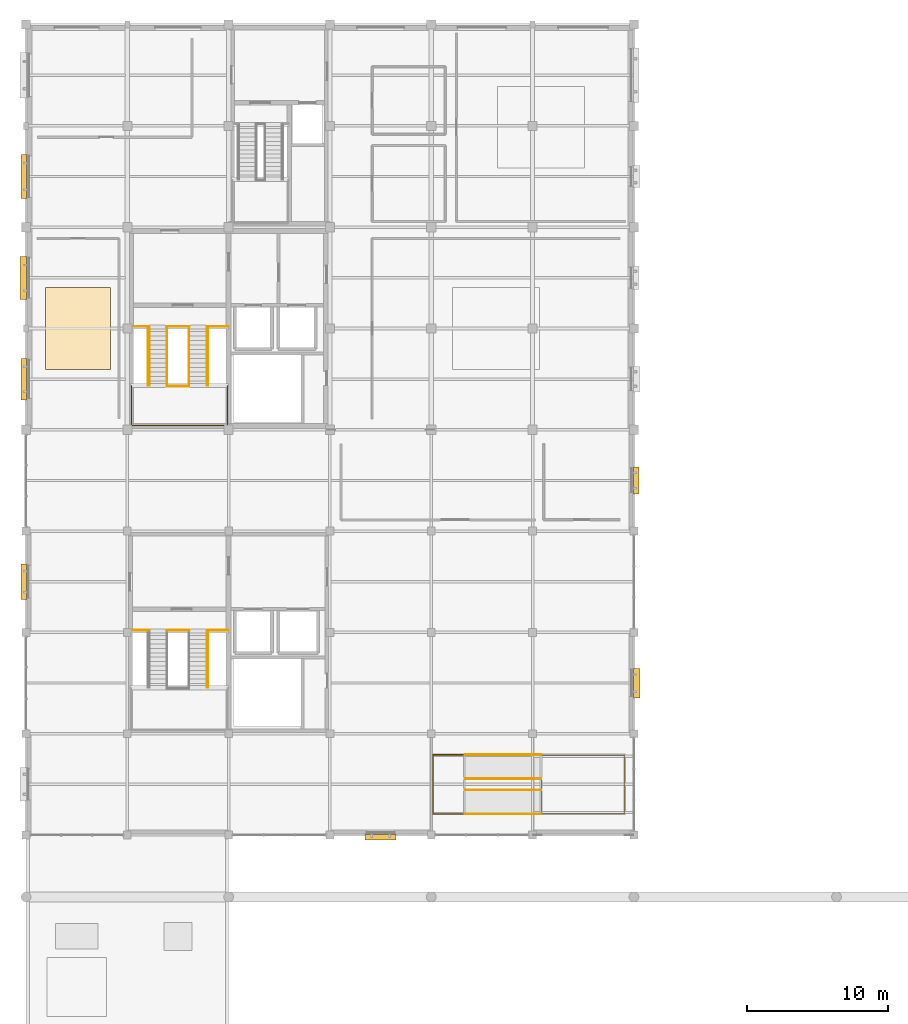
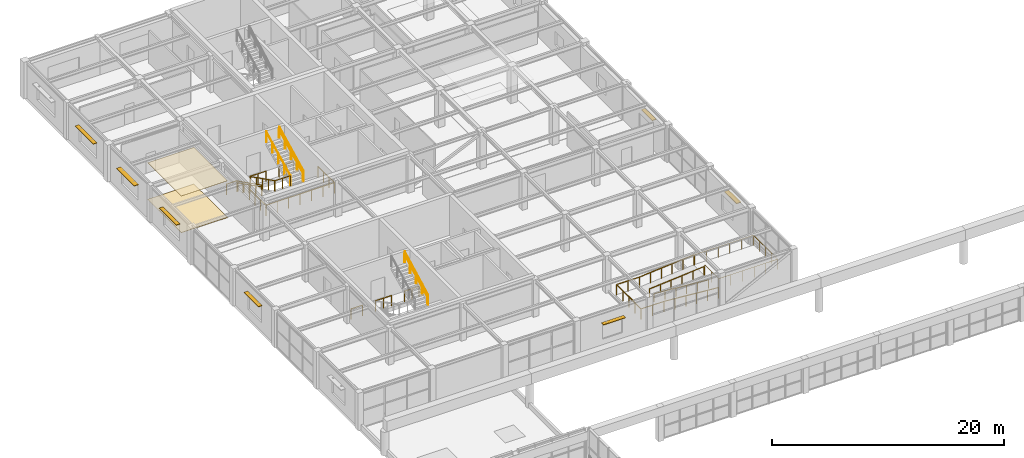
# One storey, part 80 of 83: 22 railings, 7 shading devices, 2 coverings.
"""IFC4 building model written with IfcOpenShell, lengths in metres."""

from ifc_helpers import new_model, si_unit, direction, frame, origin, origin_2d, place, context, subcontext, project, spatial, rectangle, circle, extrude, material, layer, layer_set, type_object, element, save


model = new_model("IFC4")

# Units and contexts
model_context = context("Model", 3, precision=1e-05, world=origin(), true_north=direction((0.0, 1.0)))
body_context = subcontext(model_context, "Body", "Model", "MODEL_VIEW")
ifc_project = project(units=[si_unit("LENGTHUNIT", "METRE"), si_unit("AREAUNIT", "SQUARE_METRE"), si_unit("VOLUMEUNIT", "CUBIC_METRE"), si_unit("PLANEANGLEUNIT", "RADIAN"), si_unit("MASSUNIT", "GRAM", prefix="KILO")], contexts=[model_context])

# Site, building, storey
site_placement = place(None, origin())
site = spatial("IfcSite", under=ifc_project, at=site_placement, CompositionType="ELEMENT")
building_placement = place(site_placement, origin())
building = spatial("IfcBuilding", under=site, at=building_placement, Name="Leyfeld Transit Interchange", CompositionType="ELEMENT")
storey_placement = place(building_placement, frame((0.0, 0.0, 5.39990234375)))
storey = spatial("IfcBuildingStorey", under=building, at=storey_placement, Name="L01", CompositionType="ELEMENT", Elevation=5.39990234375)

# Coverings
ifc_material_1 = material(Name="Austrian larch acoustic slat ceiling", Category="wood")
ifc_layer_1 = layer(ifc_material_1, 0.0400390625, Name="Austrian larch acoustic slat ceiling")
ifc_layer_set_1 = layer_set([ifc_layer_1], Name="Austrian larch acoustic slat ceiling")
covering_type_1 = type_object("IfcCoveringType", Name="COV-CLG-LRC", PredefinedType="CEILING", material=ifc_layer_set_1)
covering_1_placement = place(storey_placement, frame((3.699951171875, 100.800048828125, 3.844970703125), z_axis=(0.0, 0.0, 1.0), x_axis=(1.0, 0.0, 0.0)))
element("IfcCovering", 1, at=covering_1_placement, inside=storey, type_object=covering_type_1, Name="Acoustic Slat Ceiling Quiet Rest Room Suite A", PredefinedType="CEILING", context=body_context, shape_type="SweptSolid", body=[
    extrude(rectangle(XDim=4.60009765625, YDim=5.800048828125, at=origin_2d()), origin(), (0.0, 0.0, 1.0), 0.0400390625),
])
ifc_material_2 = material(Name="Polished Danube terrazzo flooring", Category="stone")
ifc_layer_2 = layer(ifc_material_2, 0.030029296875, Name="Polished Danube terrazzo flooring")
ifc_layer_set_2 = layer_set([ifc_layer_2], Name="Polished Danube terrazzo flooring")
covering_type_2 = type_object("IfcCoveringType", Name="COV-FLR-TRZ", PredefinedType="FLOORING", material=ifc_layer_set_2)
covering_2_placement = place(storey_placement, frame((3.699951171875, 100.800048828125, 0.0), z_axis=(0.0, 0.0, 1.0), x_axis=(1.0, 0.0, 0.0)))
element("IfcCovering", 2, at=covering_2_placement, inside=storey, type_object=covering_type_2, Name="Terrazzo Flooring Quiet Rest Room Suite A", PredefinedType="FLOORING", context=body_context, shape_type="SweptSolid", body=[
    extrude(rectangle(XDim=4.60009765625, YDim=5.800048828125, at=origin_2d()), origin(), (0.0, 0.0, 1.0), 0.030029296875),
])

# Railings
ifc_material_3 = material(Name="Stainless steel EN 1.4404", Category="steel")
railing_type_1 = type_object("IfcRailingType", Name="RL-STR-GRD-1100", PredefinedType="GUARDRAIL", material=ifc_material_3)
railing_1_placement = place(storey_placement, frame((7.669921875, 100.949951171875, 0.0)))
element("IfcRailing", 3, at=railing_1_placement, inside=storey, type_object=railing_type_1, Name="Stair ST-01 Landing Guard FLW L01", PredefinedType="GUARDRAIL", context=body_context, shape_type="SweptSolid", body=[
    extrude(circle(Radius=0.02392578125, at=origin_2d()), frame((0.0, 0.0, 1.09619140625), z_axis=(1.0, 0.0, 0.0), x_axis=(0.0, 1.0, 0.0)), (0.0, 0.0, 1.0), 1.030029296875),
    extrude(circle(Radius=0.02099609375, at=origin_2d()), origin(), (0.0, 0.0, 1.0), 1.072021484375),
    extrude(circle(Radius=0.02099609375, at=origin_2d()), frame((1.030029296875, 0.0, 0.0)), (0.0, 0.0, 1.0), 1.072021484375),
])
railing_2_placement = place(storey_placement, frame((10.0, 100.949951171875, 0.0)))
element("IfcRailing", 4, at=railing_2_placement, inside=storey, type_object=railing_type_1, Name="Stair ST-01 Landing Guard EYE L01", PredefinedType="GUARDRAIL", context=body_context, shape_type="SweptSolid", body=[
    extrude(circle(Radius=0.02392578125, at=origin_2d()), frame((0.0, 0.0, 1.09619140625), z_axis=(1.0, 0.0, 0.0), x_axis=(0.0, 1.0, 0.0)), (0.0, 0.0, 1.0), 1.60009765625),
    extrude(circle(Radius=0.02099609375, at=origin_2d()), origin(), (0.0, 0.0, 1.0), 1.072021484375),
    extrude(circle(Radius=0.02099609375, at=origin_2d()), frame((0.800048828125, 0.0, 0.0)), (0.0, 0.0, 1.0), 1.072021484375),
    extrude(circle(Radius=0.02099609375, at=origin_2d()), frame((1.60009765625, 0.0, 0.0)), (0.0, 0.0, 1.0), 1.072021484375),
])
railing_3_placement = place(storey_placement, frame((12.89990234375, 100.949951171875, 0.0)))
element("IfcRailing", 5, at=railing_3_placement, inside=storey, type_object=railing_type_1, Name="Stair ST-01 Landing Guard FLE L01", PredefinedType="GUARDRAIL", context=body_context, shape_type="SweptSolid", body=[
    extrude(circle(Radius=0.02392578125, at=origin_2d()), frame((0.0, 0.0, 1.09619140625), z_axis=(1.0, 0.0, 0.0), x_axis=(0.0, 1.0, 0.0)), (0.0, 0.0, 1.0), 1.4501953125),
    extrude(circle(Radius=0.02099609375, at=origin_2d()), origin(), (0.0, 0.0, 1.0), 1.072021484375),
    extrude(circle(Radius=0.02099609375, at=origin_2d()), frame((0.72509765625, 0.0, 0.0)), (0.0, 0.0, 1.0), 1.072021484375),
    extrude(circle(Radius=0.02099609375, at=origin_2d()), frame((1.4501953125, 0.0, 0.0)), (0.0, 0.0, 1.0), 1.072021484375),
])
railing_4_placement = place(storey_placement, frame((10.010009765625, 96.699951171875, 2.10009765625)))
element("IfcRailing", 6, at=railing_4_placement, inside=storey, type_object=railing_type_1, Name="Stair ST-01 L01 Half-Landing Inner Guard", PredefinedType="GUARDRAIL", context=body_context, shape_type="SweptSolid", body=[
    extrude(circle(Radius=0.02392578125, at=origin_2d()), frame((0.0, 0.0, 1.09619140625), z_axis=(1.0, 0.0, 0.0), x_axis=(0.0, 1.0, 0.0)), (0.0, 0.0, 1.0), 1.580078125),
    extrude(circle(Radius=0.02099609375, at=origin_2d()), origin(), (0.0, 0.0, 1.0), 1.072021484375),
    extrude(circle(Radius=0.02099609375, at=origin_2d()), frame((0.7900390625, 0.0, 0.0)), (0.0, 0.0, 1.0), 1.072021484375),
    extrude(circle(Radius=0.02099609375, at=origin_2d()), frame((1.580078125, 0.0, 0.0)), (0.0, 0.0, 1.0), 1.072021484375),
])
railing_5_placement = place(storey_placement, frame((7.5048828125, 96.699951171875, 2.10009765625)))
element("IfcRailing", 7, at=railing_5_placement, inside=storey, type_object=railing_type_1, Name="Stair ST-01 L01 Half-Landing Perimeter Guard", PredefinedType="GUARDRAIL", context=body_context, shape_type="SweptSolid", body=[
    extrude(circle(Radius=0.02392578125, at=origin_2d()), frame((0.0, 0.0, 1.09619140625), z_axis=(0.0, -1.0, 0.0), x_axis=(1.0, 0.0, 0.0)), (0.0, 0.0, 1.0), 2.794921875),
    extrude(circle(Radius=0.02392578125, at=origin_2d()), frame((0.0, -2.794921875, 1.09619140625), z_axis=(1.0, 0.0, 0.0), x_axis=(0.0, 1.0, 0.0)), (0.0, 0.0, 1.0), 6.815185546875),
    extrude(circle(Radius=0.02392578125, at=origin_2d()), frame((6.815185546875, -2.794921875, 1.09619140625), z_axis=(0.0, 1.0, 0.0), x_axis=(-1.0, 0.0, 0.0)), (0.0, 0.0, 1.0), 2.794921875),
    extrude(circle(Radius=0.02099609375, at=origin_2d()), origin(), (0.0, 0.0, 1.0), 1.072021484375),
    extrude(circle(Radius=0.02099609375, at=origin_2d()), frame((0.0, -0.931640625, 0.0)), (0.0, 0.0, 1.0), 1.072021484375),
    extrude(circle(Radius=0.02099609375, at=origin_2d()), frame((0.0, -1.86328125, 0.0)), (0.0, 0.0, 1.0), 1.072021484375),
    extrude(circle(Radius=0.02099609375, at=origin_2d()), frame((0.0, -2.794921875, 0.0)), (0.0, 0.0, 1.0), 1.072021484375),
    extrude(circle(Radius=0.02099609375, at=origin_2d()), frame((1.1357421875, -2.794921875, 0.0)), (0.0, 0.0, 1.0), 1.072021484375),
    extrude(circle(Radius=0.02099609375, at=origin_2d()), frame((2.271728515625, -2.794921875, 0.0)), (0.0, 0.0, 1.0), 1.072021484375),
    extrude(circle(Radius=0.02099609375, at=origin_2d()), frame((3.40771484375, -2.794921875, 0.0)), (0.0, 0.0, 1.0), 1.072021484375),
    extrude(circle(Radius=0.02099609375, at=origin_2d()), frame((4.54345703125, -2.794921875, 0.0)), (0.0, 0.0, 1.0), 1.072021484375),
    extrude(circle(Radius=0.02099609375, at=origin_2d()), frame((5.67919921875, -2.794921875, 0.0)), (0.0, 0.0, 1.0), 1.072021484375),
    extrude(circle(Radius=0.02099609375, at=origin_2d()), frame((6.815185546875, -2.794921875, 0.0)), (0.0, 0.0, 1.0), 1.072021484375),
    extrude(circle(Radius=0.02099609375, at=origin_2d()), frame((6.815185546875, -1.86328125, 0.0)), (0.0, 0.0, 1.0), 1.072021484375),
    extrude(circle(Radius=0.02099609375, at=origin_2d()), frame((6.815185546875, -0.931640625, 0.0)), (0.0, 0.0, 1.0), 1.072021484375),
    extrude(circle(Radius=0.02099609375, at=origin_2d()), frame((6.815185546875, 0.0, 0.0)), (0.0, 0.0, 1.0), 1.072021484375),
])
for number, where, name in (
    (8, (10.010009765625, 100.89990234375, 0.0), "Stair ST-01 L01 F1 Inner Guard"),
    (9, (8.68994140625, 100.89990234375, 0.0), "Stair ST-01 L01 F1 Outer Guard"),
):
    element("IfcRailing", number, at=place(storey_placement, frame(where)), inside=storey, type_object=railing_type_1, Name=name, PredefinedType="GUARDRAIL", context=body_context, shape_type="SweptSolid", body=[
        extrude(circle(Radius=0.02392578125, at=origin_2d()), frame((0.0, 0.0, 1.09619140625), z_axis=(0.0, -0.892691601492, 0.450668064795), x_axis=(1.0, 0.0, 0.0)), (0.0, 0.0, 1.0), 4.659912109375),
        extrude(circle(Radius=0.02099609375, at=origin_2d()), origin(), (0.0, 0.0, 1.0), 1.072021484375),
        extrude(circle(Radius=0.02099609375, at=origin_2d()), frame((0.0, -1.0400390625, 0.52490234375)), (0.0, 0.0, 1.0), 1.072021484375),
        extrude(circle(Radius=0.02099609375, at=origin_2d()), frame((0.0, -2.080078125, 1.050048828125)), (0.0, 0.0, 1.0), 1.072021484375),
        extrude(circle(Radius=0.02099609375, at=origin_2d()), frame((0.0, -3.119873046875, 1.5751953125)), (0.0, 0.0, 1.0), 1.072021484375),
        extrude(circle(Radius=0.02099609375, at=origin_2d()), frame((0.0, -4.159912109375, 2.10009765625)), (0.0, 0.0, 1.0), 1.072021484375),
    ])
for number, where, name in (
    (10, (11.590087890625, 96.739990234375, 2.10009765625), "Stair ST-01 L01 F2 Inner Guard"),
    (11, (12.909912109375, 96.739990234375, 2.10009765625), "Stair ST-01 L01 F2 Outer Guard"),
):
    element("IfcRailing", number, at=place(storey_placement, frame(where)), inside=storey, type_object=railing_type_1, Name=name, PredefinedType="GUARDRAIL", context=body_context, shape_type="SweptSolid", body=[
        extrude(circle(Radius=0.02392578125, at=origin_2d()), frame((0.0, 0.0, 1.09619140625), z_axis=(0.0, 0.892691601492, 0.450668064795), x_axis=(-1.0, 0.0, 0.0)), (0.0, 0.0, 1.0), 4.659912109375),
        extrude(circle(Radius=0.02099609375, at=origin_2d()), origin(), (0.0, 0.0, 1.0), 1.072021484375),
        extrude(circle(Radius=0.02099609375, at=origin_2d()), frame((0.0, 1.0400390625, 0.52490234375)), (0.0, 0.0, 1.0), 1.072021484375),
        extrude(circle(Radius=0.02099609375, at=origin_2d()), frame((0.0, 2.080078125, 1.050048828125)), (0.0, 0.0, 1.0), 1.072021484375),
        extrude(circle(Radius=0.02099609375, at=origin_2d()), frame((0.0, 3.119873046875, 1.5751953125)), (0.0, 0.0, 1.0), 1.072021484375),
        extrude(circle(Radius=0.02099609375, at=origin_2d()), frame((0.0, 4.159912109375, 2.10009765625)), (0.0, 0.0, 1.0), 1.072021484375),
    ])
railing_6_placement = place(storey_placement, frame((7.570068359375, 79.35009765625, 0.0)))
element("IfcRailing", 12, at=railing_6_placement, inside=storey, type_object=railing_type_1, Name="Stair ST-03 Landing Guard FLW L01", PredefinedType="GUARDRAIL", context=body_context, shape_type="SweptSolid", body=[
    extrude(circle(Radius=0.02392578125, at=origin_2d()), frame((0.0, 0.0, 1.09619140625), z_axis=(1.0, 0.0, 0.0), x_axis=(0.0, 1.0, 0.0)), (0.0, 0.0, 1.0), 1.1298828125),
    extrude(circle(Radius=0.02099609375, at=origin_2d()), origin(), (0.0, 0.0, 1.0), 1.072021484375),
    extrude(circle(Radius=0.02099609375, at=origin_2d()), frame((1.1298828125, 0.0, 0.0)), (0.0, 0.0, 1.0), 1.072021484375),
])
railing_7_placement = place(storey_placement, frame((10.0, 79.35009765625, 0.0)))
element("IfcRailing", 13, at=railing_7_placement, inside=storey, type_object=railing_type_1, Name="Stair ST-03 Landing Guard EYE L01", PredefinedType="GUARDRAIL", context=body_context, shape_type="SweptSolid", body=[
    extrude(circle(Radius=0.02392578125, at=origin_2d()), frame((0.0, 0.0, 1.09619140625), z_axis=(1.0, 0.0, 0.0), x_axis=(0.0, 1.0, 0.0)), (0.0, 0.0, 1.0), 1.60009765625),
    extrude(circle(Radius=0.02099609375, at=origin_2d()), origin(), (0.0, 0.0, 1.0), 1.072021484375),
    extrude(circle(Radius=0.02099609375, at=origin_2d()), frame((0.800048828125, 0.0, 0.0)), (0.0, 0.0, 1.0), 1.072021484375),
    extrude(circle(Radius=0.02099609375, at=origin_2d()), frame((1.60009765625, 0.0, 0.0)), (0.0, 0.0, 1.0), 1.072021484375),
])
railing_8_placement = place(storey_placement, frame((12.89990234375, 79.35009765625, 0.0)))
element("IfcRailing", 14, at=railing_8_placement, inside=storey, type_object=railing_type_1, Name="Stair ST-03 Landing Guard FLE L01", PredefinedType="GUARDRAIL", context=body_context, shape_type="SweptSolid", body=[
    extrude(circle(Radius=0.02392578125, at=origin_2d()), frame((0.0, 0.0, 1.09619140625), z_axis=(1.0, 0.0, 0.0), x_axis=(0.0, 1.0, 0.0)), (0.0, 0.0, 1.0), 1.4501953125),
    extrude(circle(Radius=0.02099609375, at=origin_2d()), origin(), (0.0, 0.0, 1.0), 1.072021484375),
    extrude(circle(Radius=0.02099609375, at=origin_2d()), frame((0.72509765625, 0.0, 0.0)), (0.0, 0.0, 1.0), 1.072021484375),
    extrude(circle(Radius=0.02099609375, at=origin_2d()), frame((1.4501953125, 0.0, 0.0)), (0.0, 0.0, 1.0), 1.072021484375),
])
railing_9_placement = place(storey_placement, frame((12.909912109375, 75.27001953125, 2.10009765625)))
element("IfcRailing", 15, at=railing_9_placement, inside=storey, type_object=railing_type_1, Name="Stair ST-03 L01 F2 Outer Guard", PredefinedType="GUARDRAIL", context=body_context, shape_type="SweptSolid", body=[
    extrude(circle(Radius=0.02392578125, at=origin_2d()), frame((0.0, 0.0, 1.09619140625), z_axis=(0.0, 0.88681272381, 0.462128978628), x_axis=(-1.0, 0.0, 0.0)), (0.0, 0.0, 1.0), 4.54443359375),
    extrude(circle(Radius=0.02099609375, at=origin_2d()), origin(), (0.0, 0.0, 1.0), 1.072021484375),
    extrude(circle(Radius=0.02099609375, at=origin_2d()), frame((0.0, 1.007568359375, 0.52490234375)), (0.0, 0.0, 1.0), 1.072021484375),
    extrude(circle(Radius=0.02099609375, at=origin_2d()), frame((0.0, 2.01513671875, 1.050048828125)), (0.0, 0.0, 1.0), 1.072021484375),
    extrude(circle(Radius=0.02099609375, at=origin_2d()), frame((0.0, 3.0224609375, 1.5751953125)), (0.0, 0.0, 1.0), 1.072021484375),
    extrude(circle(Radius=0.02099609375, at=origin_2d()), frame((0.0, 4.030029296875, 2.10009765625)), (0.0, 0.0, 1.0), 1.072021484375),
])
railing_10_placement = place(storey_placement, frame((36.64990234375, 68.699951171875, 0.900146484375)))
element("IfcRailing", 16, at=railing_10_placement, inside=storey, type_object=railing_type_1, Name="Cycle Docking Platform Guard L01", PredefinedType="GUARDRAIL", context=body_context, shape_type="SweptSolid", body=[
    extrude(circle(Radius=0.02392578125, at=origin_2d()), frame((0.0, 0.0, 1.09619140625), z_axis=(0.0, -1.0, 0.0), x_axis=(1.0, 0.0, 0.0)), (0.0, 0.0, 1.0), 2.3798828125),
    extrude(circle(Radius=0.02392578125, at=origin_2d()), frame((0.0, -2.3798828125, 1.09619140625), z_axis=(1.0, 0.0, 0.0), x_axis=(0.0, 1.0, 0.0)), (0.0, 0.0, 1.0), 5.8701171875),
    extrude(circle(Radius=0.02392578125, at=origin_2d()), frame((5.8701171875, -2.3798828125, 1.09619140625), z_axis=(0.0, 1.0, 0.0), x_axis=(-1.0, 0.0, 0.0)), (0.0, 0.0, 1.0), 4.159912109375),
    extrude(circle(Radius=0.02392578125, at=origin_2d()), frame((5.8701171875, 1.780029296875, 1.09619140625), z_axis=(-1.0, 0.0, 0.0), x_axis=(0.0, -1.0, 0.0)), (0.0, 0.0, 1.0), 5.8701171875),
    extrude(circle(Radius=0.02099609375, at=origin_2d()), origin(), (0.0, 0.0, 1.0), 1.072021484375),
    extrude(circle(Radius=0.02099609375, at=origin_2d()), frame((0.0, -1.18994140625, 0.0)), (0.0, 0.0, 1.0), 1.072021484375),
    extrude(circle(Radius=0.02099609375, at=origin_2d()), frame((0.0, -2.3798828125, 0.0)), (0.0, 0.0, 1.0), 1.072021484375),
    extrude(circle(Radius=0.02099609375, at=origin_2d()), frame((1.174072265625, -2.3798828125, 0.0)), (0.0, 0.0, 1.0), 1.072021484375),
    extrude(circle(Radius=0.02099609375, at=origin_2d()), frame((2.34814453125, -2.3798828125, 0.0)), (0.0, 0.0, 1.0), 1.072021484375),
    extrude(circle(Radius=0.02099609375, at=origin_2d()), frame((3.52197265625, -2.3798828125, 0.0)), (0.0, 0.0, 1.0), 1.072021484375),
    extrude(circle(Radius=0.02099609375, at=origin_2d()), frame((4.696044921875, -2.3798828125, 0.0)), (0.0, 0.0, 1.0), 1.072021484375),
    extrude(circle(Radius=0.02099609375, at=origin_2d()), frame((5.8701171875, -2.3798828125, 0.0)), (0.0, 0.0, 1.0), 1.072021484375),
    extrude(circle(Radius=0.02099609375, at=origin_2d()), frame((5.8701171875, -1.33984375, 0.0)), (0.0, 0.0, 1.0), 1.072021484375),
    extrude(circle(Radius=0.02099609375, at=origin_2d()), frame((5.8701171875, -0.2998046875, 0.0)), (0.0, 0.0, 1.0), 1.072021484375),
    extrude(circle(Radius=0.02099609375, at=origin_2d()), frame((5.8701171875, 0.739990234375, 0.0)), (0.0, 0.0, 1.0), 1.072021484375),
    extrude(circle(Radius=0.02099609375, at=origin_2d()), frame((5.8701171875, 1.780029296875, 0.0)), (0.0, 0.0, 1.0), 1.072021484375),
    extrude(circle(Radius=0.02099609375, at=origin_2d()), frame((4.696044921875, 1.780029296875, 0.0)), (0.0, 0.0, 1.0), 1.072021484375),
    extrude(circle(Radius=0.02099609375, at=origin_2d()), frame((3.52197265625, 1.780029296875, 0.0)), (0.0, 0.0, 1.0), 1.072021484375),
    extrude(circle(Radius=0.02099609375, at=origin_2d()), frame((2.34814453125, 1.780029296875, 0.0)), (0.0, 0.0, 1.0), 1.072021484375),
    extrude(circle(Radius=0.02099609375, at=origin_2d()), frame((1.174072265625, 1.780029296875, 0.0)), (0.0, 0.0, 1.0), 1.072021484375),
    extrude(circle(Radius=0.02099609375, at=origin_2d()), frame((0.0, 1.780029296875, 0.0)), (0.0, 0.0, 1.0), 1.072021484375),
])
railing_11_placement = place(storey_placement, frame((36.60009765625, 66.2900390625, 0.0)))
element("IfcRailing", 17, at=railing_11_placement, inside=storey, type_object=railing_type_1, Name="Cycle Ramp L01 F1 Outer Guard", PredefinedType="GUARDRAIL", context=body_context, shape_type="SweptSolid", body=[
    extrude(circle(Radius=0.02392578125, at=origin_2d()), frame((0.0, 0.0, 1.09619140625), z_axis=(-0.996542961243, 0.0, 0.083079037051), x_axis=(0.0, -1.0, 0.0)), (0.0, 0.0, 1.0), 5.4189453125),
    extrude(circle(Radius=0.02099609375, at=origin_2d()), origin(), (0.0, 0.0, 1.0), 1.072021484375),
    extrude(circle(Radius=0.02099609375, at=origin_2d()), frame((-1.080078125, 0.0, 0.090087890625)), (0.0, 0.0, 1.0), 1.072021484375),
    extrude(circle(Radius=0.02099609375, at=origin_2d()), frame((-2.16015625, 0.0, 0.18017578125)), (0.0, 0.0, 1.0), 1.072021484375),
    extrude(circle(Radius=0.02099609375, at=origin_2d()), frame((-3.239990234375, 0.0, 0.27001953125)), (0.0, 0.0, 1.0), 1.072021484375),
    extrude(circle(Radius=0.02099609375, at=origin_2d()), frame((-4.320068359375, 0.0, 0.360107421875)), (0.0, 0.0, 1.0), 1.072021484375),
    extrude(circle(Radius=0.02099609375, at=origin_2d()), frame((-5.400146484375, 0.0, 0.4501953125)), (0.0, 0.0, 1.0), 1.072021484375),
])
railing_12_placement = place(storey_placement, frame((31.199951171875, 70.510009765625, 0.4501953125)))
element("IfcRailing", 18, at=railing_12_placement, inside=storey, type_object=railing_type_1, Name="Cycle Ramp L01 F2 Outer Guard", PredefinedType="GUARDRAIL", context=body_context, shape_type="SweptSolid", body=[
    extrude(circle(Radius=0.02392578125, at=origin_2d()), frame((0.0, 0.0, 1.09619140625), z_axis=(0.996546690331, 0.0, 0.083034294059), x_axis=(0.0, 1.0, 0.0)), (0.0, 0.0, 1.0), 5.4189453125),
    extrude(circle(Radius=0.02099609375, at=origin_2d()), origin(), (0.0, 0.0, 1.0), 1.072021484375),
    extrude(circle(Radius=0.02099609375, at=origin_2d()), frame((1.080078125, 0.0, 0.090087890625)), (0.0, 0.0, 1.0), 1.072021484375),
    extrude(circle(Radius=0.02099609375, at=origin_2d()), frame((2.16015625, 0.0, 0.179931640625)), (0.0, 0.0, 1.0), 1.072021484375),
    extrude(circle(Radius=0.02099609375, at=origin_2d()), frame((3.239990234375, 0.0, 0.27001953125)), (0.0, 0.0, 1.0), 1.072021484375),
    extrude(circle(Radius=0.02099609375, at=origin_2d()), frame((4.320068359375, 0.0, 0.35986328125)), (0.0, 0.0, 1.0), 1.072021484375),
    extrude(circle(Radius=0.02099609375, at=origin_2d()), frame((5.400146484375, 0.0, 0.449951171875)), (0.0, 0.0, 1.0), 1.072021484375),
])
railing_13_placement = place(storey_placement, frame((31.199951171875, 66.2900390625, 0.4501953125)))
element("IfcRailing", 19, at=railing_13_placement, inside=storey, type_object=railing_type_1, Name="Cycle Ramp L01 Half-Landing Guard", PredefinedType="GUARDRAIL", context=body_context, shape_type="SweptSolid", body=[
    extrude(circle(Radius=0.02392578125, at=origin_2d()), frame((0.0, 0.0, 1.09619140625), z_axis=(-1.0, 0.0, 0.0), x_axis=(0.0, -1.0, 0.0)), (0.0, 0.0, 1.0), 2.280029296875),
    extrude(circle(Radius=0.02392578125, at=origin_2d()), frame((-2.280029296875, 0.0, 1.09619140625), z_axis=(0.0, 1.0, 0.0), x_axis=(-1.0, 0.0, 0.0)), (0.0, 0.0, 1.0), 4.219970703125),
    extrude(circle(Radius=0.02392578125, at=origin_2d()), frame((-2.280029296875, 4.219970703125, 1.09619140625), z_axis=(1.0, 0.0, 0.0), x_axis=(0.0, 1.0, 0.0)), (0.0, 0.0, 1.0), 2.280029296875),
    extrude(circle(Radius=0.02099609375, at=origin_2d()), origin(), (0.0, 0.0, 1.0), 1.072021484375),
    extrude(circle(Radius=0.02099609375, at=origin_2d()), frame((-1.14013671875, 0.0, 0.0)), (0.0, 0.0, 1.0), 1.072021484375),
    extrude(circle(Radius=0.02099609375, at=origin_2d()), frame((-2.280029296875, 0.0, 0.0)), (0.0, 0.0, 1.0), 1.072021484375),
    extrude(circle(Radius=0.02099609375, at=origin_2d()), frame((-2.280029296875, 1.054931640625, 0.0)), (0.0, 0.0, 1.0), 1.072021484375),
    extrude(circle(Radius=0.02099609375, at=origin_2d()), frame((-2.280029296875, 2.10986328125, 0.0)), (0.0, 0.0, 1.0), 1.072021484375),
    extrude(circle(Radius=0.02099609375, at=origin_2d()), frame((-2.280029296875, 3.1650390625, 0.0)), (0.0, 0.0, 1.0), 1.072021484375),
    extrude(circle(Radius=0.02099609375, at=origin_2d()), frame((-2.280029296875, 4.219970703125, 0.0)), (0.0, 0.0, 1.0), 1.072021484375),
    extrude(circle(Radius=0.02099609375, at=origin_2d()), frame((-1.14013671875, 4.219970703125, 0.0)), (0.0, 0.0, 1.0), 1.072021484375),
    extrude(circle(Radius=0.02099609375, at=origin_2d()), frame((0.0, 4.219970703125, 0.0)), (0.0, 0.0, 1.0), 1.072021484375),
])
railing_type_2 = type_object("IfcRailingType", Name="RL-STR-HND-900", PredefinedType="HANDRAIL", material=ifc_material_3)
railing_14_placement = place(storey_placement, frame((8.75, 100.89990234375, 0.0)))
element("IfcRailing", 20, at=railing_14_placement, inside=storey, type_object=railing_type_2, Name="Stair ST-01 L01 F1 Handrail", PredefinedType="HANDRAIL", context=body_context, shape_type="SweptSolid", body=[
    extrude(circle(Radius=0.02392578125, at=origin_2d()), frame((0.0, 0.0, 0.8759765625), z_axis=(0.0, -0.892691601492, 0.450668064795), x_axis=(1.0, 0.0, 0.0)), (0.0, 0.0, 1.0), 4.659912109375),
    extrude(circle(Radius=0.02099609375, at=origin_2d()), origin(), (0.0, 0.0, 1.0), 0.851806640625),
    extrude(circle(Radius=0.02099609375, at=origin_2d()), frame((0.0, -1.0400390625, 0.52490234375)), (0.0, 0.0, 1.0), 0.851806640625),
    extrude(circle(Radius=0.02099609375, at=origin_2d()), frame((0.0, -2.080078125, 1.050048828125)), (0.0, 0.0, 1.0), 0.851806640625),
    extrude(circle(Radius=0.02099609375, at=origin_2d()), frame((0.0, -3.119873046875, 1.5751953125)), (0.0, 0.0, 1.0), 0.851806640625),
    extrude(circle(Radius=0.02099609375, at=origin_2d()), frame((0.0, -4.159912109375, 2.10009765625)), (0.0, 0.0, 1.0), 0.851806640625),
])
railing_15_placement = place(storey_placement, frame((12.85009765625, 96.739990234375, 2.10009765625)))
element("IfcRailing", 21, at=railing_15_placement, inside=storey, type_object=railing_type_2, Name="Stair ST-01 L01 F2 Handrail", PredefinedType="HANDRAIL", context=body_context, shape_type="SweptSolid", body=[
    extrude(circle(Radius=0.02392578125, at=origin_2d()), frame((0.0, 0.0, 0.8759765625), z_axis=(0.0, 0.892691601492, 0.450668064795), x_axis=(-1.0, 0.0, 0.0)), (0.0, 0.0, 1.0), 4.659912109375),
    extrude(circle(Radius=0.02099609375, at=origin_2d()), origin(), (0.0, 0.0, 1.0), 0.851806640625),
    extrude(circle(Radius=0.02099609375, at=origin_2d()), frame((0.0, 1.0400390625, 0.52490234375)), (0.0, 0.0, 1.0), 0.851806640625),
    extrude(circle(Radius=0.02099609375, at=origin_2d()), frame((0.0, 2.080078125, 1.050048828125)), (0.0, 0.0, 1.0), 0.851806640625),
    extrude(circle(Radius=0.02099609375, at=origin_2d()), frame((0.0, 3.119873046875, 1.5751953125)), (0.0, 0.0, 1.0), 0.851806640625),
    extrude(circle(Radius=0.02099609375, at=origin_2d()), frame((0.0, 4.159912109375, 2.10009765625)), (0.0, 0.0, 1.0), 0.851806640625),
])
railing_16_placement = place(storey_placement, frame((12.85009765625, 75.27001953125, 2.10009765625)))
element("IfcRailing", 22, at=railing_16_placement, inside=storey, type_object=railing_type_2, Name="Stair ST-03 L01 F2 Handrail", PredefinedType="HANDRAIL", context=body_context, shape_type="SweptSolid", body=[
    extrude(circle(Radius=0.02392578125, at=origin_2d()), frame((0.0, 0.0, 0.8759765625), z_axis=(0.0, 0.88681272381, 0.462128978628), x_axis=(-1.0, 0.0, 0.0)), (0.0, 0.0, 1.0), 4.54443359375),
    extrude(circle(Radius=0.02099609375, at=origin_2d()), origin(), (0.0, 0.0, 1.0), 0.851806640625),
    extrude(circle(Radius=0.02099609375, at=origin_2d()), frame((0.0, 1.007568359375, 0.52490234375)), (0.0, 0.0, 1.0), 0.851806640625),
    extrude(circle(Radius=0.02099609375, at=origin_2d()), frame((0.0, 2.01513671875, 1.050048828125)), (0.0, 0.0, 1.0), 0.851806640625),
    extrude(circle(Radius=0.02099609375, at=origin_2d()), frame((0.0, 3.0224609375, 1.5751953125)), (0.0, 0.0, 1.0), 0.851806640625),
    extrude(circle(Radius=0.02099609375, at=origin_2d()), frame((0.0, 4.030029296875, 2.10009765625)), (0.0, 0.0, 1.0), 0.851806640625),
])
railing_17_placement = place(storey_placement, frame((36.60009765625, 68.0, 0.0)))
element("IfcRailing", 23, at=railing_17_placement, inside=storey, type_object=railing_type_2, Name="Cycle Ramp L01 F1 Handrail", PredefinedType="HANDRAIL", context=body_context, shape_type="SweptSolid", body=[
    extrude(circle(Radius=0.02392578125, at=origin_2d()), frame((0.0, 0.0, 0.8759765625), z_axis=(-0.996542961243, 0.0, 0.083079037051), x_axis=(0.0, -1.0, 0.0)), (0.0, 0.0, 1.0), 5.4189453125),
    extrude(circle(Radius=0.02099609375, at=origin_2d()), origin(), (0.0, 0.0, 1.0), 0.851806640625),
    extrude(circle(Radius=0.02099609375, at=origin_2d()), frame((-1.080078125, 0.0, 0.090087890625)), (0.0, 0.0, 1.0), 0.851806640625),
    extrude(circle(Radius=0.02099609375, at=origin_2d()), frame((-2.16015625, 0.0, 0.18017578125)), (0.0, 0.0, 1.0), 0.851806640625),
    extrude(circle(Radius=0.02099609375, at=origin_2d()), frame((-3.239990234375, 0.0, 0.27001953125)), (0.0, 0.0, 1.0), 0.851806640625),
    extrude(circle(Radius=0.02099609375, at=origin_2d()), frame((-4.320068359375, 0.0, 0.360107421875)), (0.0, 0.0, 1.0), 0.851806640625),
    extrude(circle(Radius=0.02099609375, at=origin_2d()), frame((-5.400146484375, 0.0, 0.4501953125)), (0.0, 0.0, 1.0), 0.851806640625),
])
railing_18_placement = place(storey_placement, frame((31.199951171875, 68.800048828125, 0.4501953125)))
element("IfcRailing", 24, at=railing_18_placement, inside=storey, type_object=railing_type_2, Name="Cycle Ramp L01 F2 Handrail", PredefinedType="HANDRAIL", context=body_context, shape_type="SweptSolid", body=[
    extrude(circle(Radius=0.02392578125, at=origin_2d()), frame((0.0, 0.0, 0.8759765625), z_axis=(0.996546690331, 0.0, 0.083034294059), x_axis=(0.0, 1.0, 0.0)), (0.0, 0.0, 1.0), 5.4189453125),
    extrude(circle(Radius=0.02099609375, at=origin_2d()), origin(), (0.0, 0.0, 1.0), 0.851806640625),
    extrude(circle(Radius=0.02099609375, at=origin_2d()), frame((1.080078125, 0.0, 0.090087890625)), (0.0, 0.0, 1.0), 0.851806640625),
    extrude(circle(Radius=0.02099609375, at=origin_2d()), frame((2.16015625, 0.0, 0.179931640625)), (0.0, 0.0, 1.0), 0.851806640625),
    extrude(circle(Radius=0.02099609375, at=origin_2d()), frame((3.239990234375, 0.0, 0.27001953125)), (0.0, 0.0, 1.0), 0.851806640625),
    extrude(circle(Radius=0.02099609375, at=origin_2d()), frame((4.320068359375, 0.0, 0.35986328125)), (0.0, 0.0, 1.0), 0.851806640625),
    extrude(circle(Radius=0.02099609375, at=origin_2d()), frame((5.400146484375, 0.0, 0.449951171875)), (0.0, 0.0, 1.0), 0.851806640625),
])

# Shading devices
ifc_material_4 = material(Name="Anodised aluminium EN AW-6060 T66", Category="aluminium")
ifc_layer_3 = layer(ifc_material_4, 0.054931640625, Name="Anodised aluminium EN AW-6060 T66")
ifc_layer_set_3 = layer_set([ifc_layer_3], Name="Anodised aluminium EN AW-6060 T66")
shading_device_type_1 = type_object("IfcShadingDeviceType", Name="SHD-ALU-380", PredefinedType="JALOUSIE", material=ifc_layer_set_3)
shading_device_1_placement = place(storey_placement, frame((-0.169921875, 97.199951171875, 2.72265625), z_axis=(0.0, 0.0, 1.0), x_axis=(0.0, 1.0, 0.0)))
element("IfcShadingDevice", 25, at=shading_device_1_placement, inside=storey, type_object=shading_device_type_1, Name="Prairie Solar Shading Fin 012", PredefinedType="JALOUSIE", context=body_context, shape_type="SweptSolid", body=[
    extrude(rectangle(XDim=2.949951171875, YDim=0.3798828125, at=origin_2d()), origin(), (0.0, 0.0, 1.0), 0.054931640625),
])
shading_device_2_placement = place(storey_placement, frame((-0.169921875, 111.60009765625, 2.57275390625), z_axis=(0.0, 0.0, 1.0), x_axis=(0.0, 1.0, 0.0)))
element("IfcShadingDevice", 26, at=shading_device_2_placement, inside=storey, type_object=shading_device_type_1, Name="Prairie Solar Shading Fin 014", PredefinedType="JALOUSIE", context=body_context, shape_type="SweptSolid", body=[
    extrude(rectangle(XDim=3.14990234375, YDim=0.3798828125, at=origin_2d()), origin(), (0.0, 0.0, 1.0), 0.054931640625),
])
shading_device_3_placement = place(storey_placement, frame((43.3701171875, 90.0, 2.5224609375), z_axis=(0.0, 0.0, 1.0), x_axis=(0.0, -1.0, 0.0)))
element("IfcShadingDevice", 27, at=shading_device_3_placement, inside=storey, type_object=shading_device_type_1, Name="Prairie Solar Shading Fin 020", PredefinedType="JALOUSIE", context=body_context, shape_type="SweptSolid", body=[
    extrude(rectangle(XDim=1.89990234375, YDim=0.3798828125, at=origin_2d()), origin(), (0.0, 0.0, 1.0), 0.054931640625),
])
shading_device_4_placement = place(storey_placement, frame((25.199951171875, 64.6298828125, 2.62255859375), z_axis=(0.0, 0.0, 1.0), x_axis=(-1.0, 0.0, 0.0)))
element("IfcShadingDevice", 28, at=shading_device_4_placement, inside=storey, type_object=shading_device_type_1, Name="Prairie Solar Shading Fin 022", PredefinedType="JALOUSIE", context=body_context, shape_type="SweptSolid", body=[
    extrude(rectangle(XDim=2.199951171875, YDim=0.3798828125, at=origin_2d()), origin(), (0.0, 0.0, 1.0), 0.054931640625),
])
shading_device_5_placement = place(storey_placement, frame((-0.169921875, 82.800048828125, 2.72265625), z_axis=(0.0, 0.0, 1.0), x_axis=(0.0, 1.0, 0.0)))
element("IfcShadingDevice", 29, at=shading_device_5_placement, inside=storey, type_object=shading_device_type_1, Name="Prairie Solar Shading Fin 024", PredefinedType="JALOUSIE", context=body_context, shape_type="SweptSolid", body=[
    extrude(rectangle(XDim=2.5, YDim=0.3798828125, at=origin_2d()), origin(), (0.0, 0.0, 1.0), 0.054931640625),
])
ifc_material_5 = material(Name="Austrian larch glulam GL28h", Category="wood")
ifc_layer_4 = layer(ifc_material_5, 0.06494140625, Name="Austrian larch glulam GL28h")
ifc_layer_set_4 = layer_set([ifc_layer_4], Name="Austrian larch glulam GL28h")
shading_device_type_2 = type_object("IfcShadingDeviceType", Name="SHD-LRC-450", PredefinedType="JALOUSIE", material=ifc_layer_set_4)
shading_device_6_placement = place(storey_placement, frame((-0.205078125, 104.39990234375, 2.517578125), z_axis=(0.0, 0.0, 1.0), x_axis=(0.0, 1.0, 0.0)))
element("IfcShadingDevice", 30, at=shading_device_6_placement, inside=storey, type_object=shading_device_type_2, Name="Prairie Solar Shading Fin 013", PredefinedType="JALOUSIE", context=body_context, shape_type="SweptSolid", body=[
    extrude(rectangle(XDim=3.050048828125, YDim=0.449951171875, at=origin_2d()), origin(), (0.0, 0.0, 1.0), 0.06494140625),
])
shading_device_7_placement = place(storey_placement, frame((43.405029296875, 75.60009765625, 2.567626953125), z_axis=(0.0, 0.0, 1.0), x_axis=(0.0, -1.0, 0.0)))
element("IfcShadingDevice", 31, at=shading_device_7_placement, inside=storey, type_object=shading_device_type_2, Name="Prairie Solar Shading Fin 021", PredefinedType="JALOUSIE", context=body_context, shape_type="SweptSolid", body=[
    extrude(rectangle(XDim=2.10009765625, YDim=0.449951171875, at=origin_2d()), origin(), (0.0, 0.0, 1.0), 0.06494140625),
])

save(model, "model.ifc")
